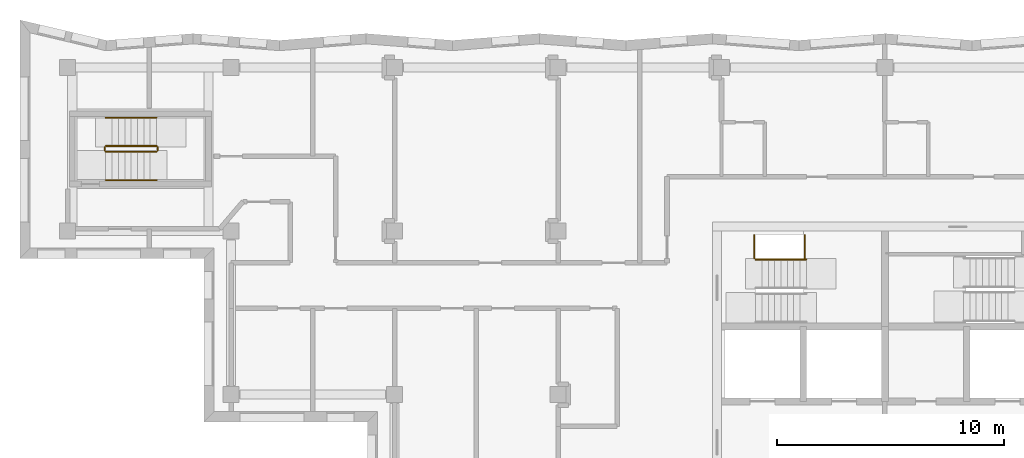
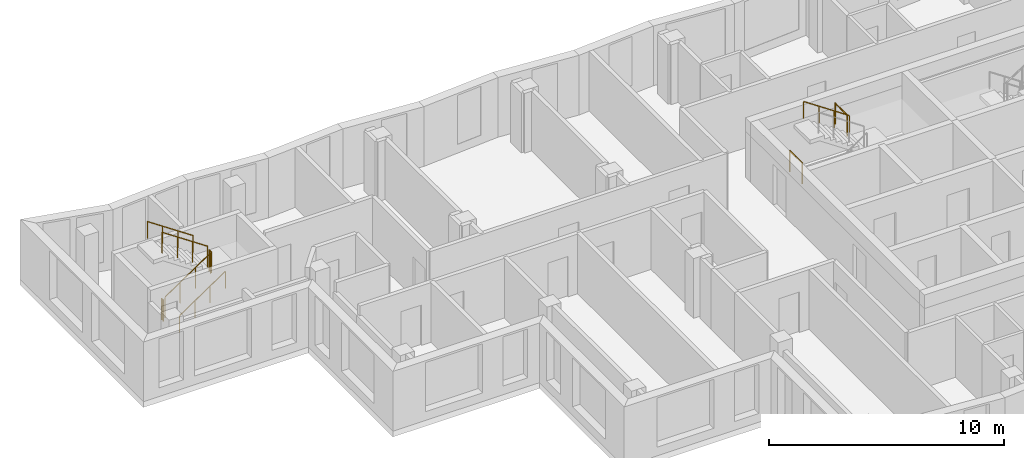
# One storey, part 11 of 13: 9 railings.
"""IFC4 building model written with IfcOpenShell, lengths in metres."""

import ifcopenshell
import ifcopenshell.guid

model = None  # the IFC model being written
_history = None  # IfcOwnerHistory: only IFC2X3 demands one
_inside = {}  # id of a spatial element -> (the spatial element, [elements in it])
_under = {}  # id of a project, library or spatial element -> (it, [spatial elements below it])
_declared = {}  # id of a project -> (the project, [libraries it declares])
_typed = {}  # id of a type object -> (the type object, [elements of that type])
_made_of = {}  # id of a material, layer set ... -> (it, [elements and type objects made of it])


def new_model(schema):
    """Start an empty IFC model of exactly this schema.

    Asked for "IFC4X3", IfcOpenShell would pick the latest addendum, in which some entities
    have other attributes; the version numbers below select the first issue.
    IFC2X3 requires an IfcOwnerHistory on every rooted entity: one is made here for all.
    """
    global model, _history
    if schema == "IFC4X3":
        model = ifcopenshell.file(schema_version=(4, 3, 0, 0))
    else:
        model = ifcopenshell.file(schema=schema)
    _inside.clear()
    _under.clear()
    _declared.clear()
    _typed.clear()
    _made_of.clear()
    _history = None
    if model.schema == "IFC2X3":
        org = make("IfcOrganization", Name="unknown")
        user = make(
            "IfcPersonAndOrganization",
            ThePerson=make("IfcPerson", FamilyName="unknown"),
            TheOrganization=org,
        )
        app = make(
            "IfcApplication",
            ApplicationDeveloper=org,
            Version="unknown",
            ApplicationFullName="unknown",
            ApplicationIdentifier="unknown",
        )
        _history = make(
            "IfcOwnerHistory",
            OwningUser=user,
            OwningApplication=app,
            ChangeAction="ADDED",
            CreationDate=0,
        )
    return model


def make(cls, **values):
    """One entity of the class cls with the attributes given. An attribute that is None is left unset."""
    return model.create_entity(
        cls, **{name: value for name, value in values.items() if value is not None}
    )


def rooted(cls, **values):
    """An entity with a GlobalId (a new one), such as an element, a storey or a relation."""
    return make(cls, GlobalId=ifcopenshell.guid.new(), OwnerHistory=_history, **values)


def si_unit(unit_type, name, prefix=None):
    """IfcSIUnit, for example si_unit("LENGTHUNIT", "METRE", prefix="MILLI")."""
    return make("IfcSIUnit", UnitType=unit_type, Prefix=prefix, Name=name)


def assignment(units):
    """IfcUnitAssignment: the units of a project."""
    return None if units is None else make("IfcUnitAssignment", Units=units)


def point(xyz):
    """IfcCartesianPoint."""
    return None if xyz is None else make("IfcCartesianPoint", Coordinates=xyz)


def direction(xyz):
    """IfcDirection."""
    return None if xyz is None else make("IfcDirection", DirectionRatios=xyz)


def frame(location, z_axis=None, x_axis=None):
    """IfcAxis2Placement3D, a coordinate frame: its origin and axes. An axis left out is left unset."""
    return make(
        "IfcAxis2Placement3D",
        Location=point(location),
        Axis=direction(z_axis),
        RefDirection=direction(x_axis),
    )


def frame_2d(location, x_axis=None):
    """IfcAxis2Placement2D, a coordinate frame in the plane: its origin and x axis."""
    return make(
        "IfcAxis2Placement2D", Location=point(location), RefDirection=direction(x_axis)
    )


def origin():
    """The frame at (0, 0, 0) with its axes left unset."""
    return frame((0.0, 0.0, 0.0))


def origin_2d():
    """The frame at (0, 0) in the plane with its x axis left unset."""
    return frame_2d((0.0, 0.0))


def place(relative_to, where):
    """IfcLocalPlacement: puts the frame where relative to a parent placement (None: the world)."""
    return make(
        "IfcLocalPlacement", PlacementRelTo=relative_to, RelativePlacement=where
    )


def context(
    kind, dimensions, precision=None, world=None, true_north=None, identifier=None
):
    """IfcGeometricRepresentationContext, for example the 3D "Model" context."""
    return make(
        "IfcGeometricRepresentationContext",
        ContextIdentifier=identifier,
        ContextType=kind,
        CoordinateSpaceDimension=dimensions,
        Precision=precision,
        WorldCoordinateSystem=world,
        TrueNorth=true_north,
    )


def subcontext(parent, identifier, kind, view, scale=None):
    """IfcGeometricRepresentationSubContext, for example "Body" below "Model"."""
    return make(
        "IfcGeometricRepresentationSubContext",
        ContextIdentifier=identifier,
        ContextType=kind,
        ParentContext=parent,
        TargetScale=scale,
        TargetView=view,
    )


def project(units=None, contexts=None):
    """IfcProject with its units and contexts."""
    return rooted(
        "IfcProject",
        Name="project",
        RepresentationContexts=contexts,
        UnitsInContext=assignment(units),
    )


def spatial(cls, under=None, at=None, **own):
    """A site, building, storey or space (cls), placed at a placement, below another one or the project."""
    s = rooted(cls, ObjectPlacement=at, **own)
    if under is not None:
        _under.setdefault(under.id(), (under, []))[1].append(s)
    return s


def profile(cls, at=None, kind="AREA", **sizes):
    """A parametric profile (cls). Its sizes go by their IFC names, for example OverallWidth=200.0."""
    return make(cls, ProfileType=kind, Position=at, **sizes)


def circle(**sizes):
    """IfcCircleProfileDef."""
    return profile("IfcCircleProfileDef", **sizes)


def extrude(swept, where, along, depth):
    """IfcExtrudedAreaSolid: the profile swept, set in the frame where, extruded along a direction by depth."""
    return make(
        "IfcExtrudedAreaSolid",
        SweptArea=swept,
        Position=where,
        ExtrudedDirection=direction(along),
        Depth=depth,
    )


def shape(context_of_items, identifier, shape_type, items):
    """IfcShapeRepresentation: the items that make up one representation, for example the "Body"."""
    return make(
        "IfcShapeRepresentation",
        ContextOfItems=context_of_items,
        RepresentationIdentifier=identifier,
        RepresentationType=shape_type,
        Items=items,
    )


def material(Name=None, Category=None):
    """IfcMaterial."""
    return make("IfcMaterial", Name=Name, Category=Category)


def made_of(thing, what):
    """Note that an element or type object is made of a material, layer set ...; save() writes the relation."""
    if what is not None:
        _made_of.setdefault(what.id(), (what, []))[1].append(thing)
    return thing


def type_object(cls, material=None, **own):
    """A type object (cls), such as IfcWallType, which elements share."""
    return made_of(rooted(cls, **own), material)


def element(
    cls,
    number,
    at=None,
    inside=None,
    cuts=None,
    type_object=None,
    material=None,
    context=None,
    identifier="Body",
    shape_type=None,
    held_by="IfcProductDefinitionShape",
    body=None,
    shapes=None,
    **own,
):
    """One element of the class cls, such as IfcWall. Its Tag is "e" and its number.

    at: its placement. inside: the storey or other place that contains it. cuts: it is an
    opening in that element (IfcRelVoidsElement). A single representation is given by context,
    identifier, shape_type and body (its items); several are given by shapes. held_by: the class
    of the entity that holds the representations. save() writes the other relations.
    """
    e = rooted(cls, Tag="e%d" % number, ObjectPlacement=at, **own)
    if body is not None:
        shapes = [shape(context, identifier, shape_type, body)]
    if shapes is not None:
        e.Representation = make(held_by, Representations=shapes)
    if inside is not None:
        _inside.setdefault(inside.id(), (inside, []))[1].append(e)
    if cuts is not None:
        rooted(
            "IfcRelVoidsElement", RelatingBuildingElement=cuts, RelatedOpeningElement=e
        )
    if type_object is not None:
        _typed.setdefault(type_object.id(), (type_object, []))[1].append(e)
    return made_of(e, material)


def aggregate(whole, parts):
    """IfcRelAggregates: a whole, such as a stair, and the parts it consists of."""
    return rooted("IfcRelAggregates", RelatingObject=whole, RelatedObjects=parts)


def save(model, path):
    """Write the relations noted so far, then the file.

    IfcRelAggregates (storeys below a building ...), IfcRelContainedInSpatialStructure (elements
    in a storey), IfcRelDefinesByType, IfcRelAssociatesMaterial and IfcRelDeclares: one each for
    every whole, place, type object, material and project.
    """
    for whole, parts in _under.values():
        aggregate(whole, parts)
    for where, things in _inside.values():
        rooted(
            "IfcRelContainedInSpatialStructure",
            RelatedElements=things,
            RelatingStructure=where,
        )
    for kind, things in _typed.values():
        rooted("IfcRelDefinesByType", RelatedObjects=things, RelatingType=kind)
    for what, things in _made_of.values():
        rooted("IfcRelAssociatesMaterial", RelatedObjects=things, RelatingMaterial=what)
    for by, libraries in _declared.values():
        rooted("IfcRelDeclares", RelatingContext=by, RelatedDefinitions=libraries)
    model.write(path)


model = new_model("IFC4")

# Units and contexts
model_context = context("Model", 3, precision=1e-05, world=origin(), true_north=direction((0.0, 1.0)))
body_context = subcontext(model_context, "Body", "Model", "MODEL_VIEW")
ifc_project = project(units=[si_unit("LENGTHUNIT", "METRE"), si_unit("AREAUNIT", "SQUARE_METRE"), si_unit("VOLUMEUNIT", "CUBIC_METRE"), si_unit("PLANEANGLEUNIT", "RADIAN"), si_unit("MASSUNIT", "GRAM", prefix="KILO")], contexts=[model_context])

# Site, building, storey
site_placement = place(None, origin())
site = spatial("IfcSite", under=ifc_project, at=site_placement, CompositionType="ELEMENT")
building_placement = place(site_placement, origin())
building = spatial("IfcBuilding", under=site, at=building_placement, Name="Windrow Commons", CompositionType="ELEMENT")
storey_placement = place(building_placement, frame((0.0, 0.0, 243.8)))
storey = spatial("IfcBuildingStorey", under=building, at=storey_placement, Name="L66", CompositionType="ELEMENT", Elevation=243.8)

# Railings
ifc_material_1 = material(Name="Steel S355", Category="steel")
railing_type_1 = type_object("IfcRailingType", Name="Core stair guard 1100", PredefinedType="GUARDRAIL", material=ifc_material_1)
for number, where, name in (
    (1, (59.05, 63.6, 0.0), "L66 ST-A1 stair guard 3"),
    (2, (61.27, 63.6, 1.7), "L66 ST-A1 stair guard 4"),
):
    element("IfcRailing", number, at=place(storey_placement, frame(where)), inside=storey, type_object=railing_type_1, Name=name, PredefinedType="GUARDRAIL", context=body_context, shape_type="SweptSolid", body=[
        extrude(circle(Radius=0.024, at=origin_2d()), frame((0.0, 0.0, 1.076), z_axis=(0.0, 1.0, 0.0), x_axis=(-1.0, 0.0, 0.0)), (0.0, 0.0, 1.0), 1.03),
        extrude(circle(Radius=0.021, at=origin_2d()), origin(), (0.0, 0.0, 1.0), 1.052),
        extrude(circle(Radius=0.021, at=origin_2d()), frame((0.0, 1.03, 0.0)), (0.0, 0.0, 1.0), 1.052),
    ])
railing_1_placement = place(storey_placement, frame((30.475, 68.3, 0.1889)))
element("IfcRailing", 3, at=railing_1_placement, inside=storey, type_object=railing_type_1, Name="L66 ST-W stair guard 1", PredefinedType="GUARDRAIL", context=body_context, shape_type="SweptSolid", body=[
    extrude(circle(Radius=0.024, at=origin_2d()), frame((0.0, 0.0, 1.076), z_axis=(0.8290030985, 0.0, 0.5592440099), x_axis=(0.0, 1.0, 0.0)), (0.0, 0.0, 1.0), 2.702),
    extrude(circle(Radius=0.021, at=origin_2d()), origin(), (0.0, 0.0, 1.0), 1.052),
    extrude(circle(Radius=0.021, at=origin_2d()), frame((0.7467, 0.0, 0.5037)), (0.0, 0.0, 1.0), 1.052),
    extrude(circle(Radius=0.021, at=origin_2d()), frame((1.4933, 0.0, 1.0074)), (0.0, 0.0, 1.0), 1.052),
    extrude(circle(Radius=0.021, at=origin_2d()), frame((2.24, 0.0, 1.5111)), (0.0, 0.0, 1.0), 1.052),
])
railing_2_placement = place(storey_placement, frame((32.765, 68.35, 1.7)))
element("IfcRailing", 4, at=railing_2_placement, inside=storey, type_object=railing_type_1, Name="L66 ST-W stair guard 2", PredefinedType="GUARDRAIL", context=body_context, shape_type="SweptSolid", body=[
    extrude(circle(Radius=0.024, at=origin_2d()), frame((0.0, 0.0, 1.076), z_axis=(0.0, 1.0, 0.0), x_axis=(-1.0, 0.0, 0.0)), (0.0, 0.0, 1.0), 0.15),
    extrude(circle(Radius=0.021, at=origin_2d()), origin(), (0.0, 0.0, 1.0), 1.052),
    extrude(circle(Radius=0.021, at=origin_2d()), frame((0.0, 0.15, 0.0)), (0.0, 0.0, 1.0), 1.052),
])
railing_3_placement = place(storey_placement, frame((32.715, 68.55, 1.8889)))
element("IfcRailing", 5, at=railing_3_placement, inside=storey, type_object=railing_type_1, Name="L66 ST-W stair guard 3", PredefinedType="GUARDRAIL", context=body_context, shape_type="SweptSolid", body=[
    extrude(circle(Radius=0.024, at=origin_2d()), frame((0.0, 0.0, 1.076), z_axis=(-0.8290030985, 0.0, 0.5592440099), x_axis=(0.0, -1.0, 0.0)), (0.0, 0.0, 1.0), 2.702),
    extrude(circle(Radius=0.021, at=origin_2d()), origin(), (0.0, 0.0, 1.0), 1.052),
    extrude(circle(Radius=0.021, at=origin_2d()), frame((-0.7467, 0.0, 0.5037)), (0.0, 0.0, 1.0), 1.052),
    extrude(circle(Radius=0.021, at=origin_2d()), frame((-1.4933, 0.0, 1.0074)), (0.0, 0.0, 1.0), 1.052),
    extrude(circle(Radius=0.021, at=origin_2d()), frame((-2.24, 0.0, 1.5111)), (0.0, 0.0, 1.0), 1.052),
])
railing_4_placement = place(storey_placement, frame((30.425, 68.35, 0.0)))
element("IfcRailing", 6, at=railing_4_placement, inside=storey, type_object=railing_type_1, Name="L66 ST-W stair guard 4", PredefinedType="GUARDRAIL", context=body_context, shape_type="SweptSolid", body=[
    extrude(circle(Radius=0.024, at=origin_2d()), frame((0.0, 0.0, 1.076), z_axis=(0.0, 1.0, 0.0), x_axis=(-1.0, 0.0, 0.0)), (0.0, 0.0, 1.0), 0.15),
    extrude(circle(Radius=0.021, at=origin_2d()), origin(), (0.0, 0.0, 1.0), 1.052),
    extrude(circle(Radius=0.021, at=origin_2d()), frame((0.0, 0.15, 0.0)), (0.0, 0.0, 1.0), 1.052),
])
ifc_material_2 = material(Name="Steel S355", Category="steel")
railing_type_2 = type_object("IfcRailingType", Name="Core stair handrail 900", PredefinedType="HANDRAIL", material=ifc_material_2)
railing_5_placement = place(storey_placement, frame((61.34, 63.55, 1.8889)))
element("IfcRailing", 7, at=railing_5_placement, inside=storey, type_object=railing_type_2, Name="L66 ST-A1 stair handrail 2", PredefinedType="HANDRAIL", context=body_context, shape_type="SweptSolid", body=[
    extrude(circle(Radius=0.024, at=origin_2d()), frame((0.0, 0.0, 0.876), z_axis=(-0.8290030985, 0.0, 0.5592440099), x_axis=(0.0, -1.0, 0.0)), (0.0, 0.0, 1.0), 2.702),
    extrude(circle(Radius=0.021, at=origin_2d()), origin(), (0.0, 0.0, 1.0), 0.852),
    extrude(circle(Radius=0.021, at=origin_2d()), frame((-0.7467, 0.0, 0.5037)), (0.0, 0.0, 1.0), 0.852),
    extrude(circle(Radius=0.021, at=origin_2d()), frame((-1.4933, 0.0, 1.0074)), (0.0, 0.0, 1.0), 0.852),
    extrude(circle(Radius=0.021, at=origin_2d()), frame((-2.24, 0.0, 1.5111)), (0.0, 0.0, 1.0), 0.852),
])
railing_6_placement = place(storey_placement, frame((30.475, 67.05, 0.1889)))
element("IfcRailing", 8, at=railing_6_placement, inside=storey, type_object=railing_type_2, Name="L66 ST-W stair handrail 1", PredefinedType="HANDRAIL", context=body_context, shape_type="SweptSolid", body=[
    extrude(circle(Radius=0.024, at=origin_2d()), frame((0.0, 0.0, 0.876), z_axis=(0.8290030985, 0.0, 0.5592440099), x_axis=(0.0, 1.0, 0.0)), (0.0, 0.0, 1.0), 2.702),
    extrude(circle(Radius=0.021, at=origin_2d()), origin(), (0.0, 0.0, 1.0), 0.852),
    extrude(circle(Radius=0.021, at=origin_2d()), frame((0.7467, 0.0, 0.5037)), (0.0, 0.0, 1.0), 0.852),
    extrude(circle(Radius=0.021, at=origin_2d()), frame((1.4933, 0.0, 1.0074)), (0.0, 0.0, 1.0), 0.852),
    extrude(circle(Radius=0.021, at=origin_2d()), frame((2.24, 0.0, 1.5111)), (0.0, 0.0, 1.0), 0.852),
])
railing_7_placement = place(storey_placement, frame((32.715, 69.8, 1.8889)))
element("IfcRailing", 9, at=railing_7_placement, inside=storey, type_object=railing_type_2, Name="L66 ST-W stair handrail 2", PredefinedType="HANDRAIL", context=body_context, shape_type="SweptSolid", body=[
    extrude(circle(Radius=0.024, at=origin_2d()), frame((0.0, 0.0, 0.876), z_axis=(-0.8290030985, 0.0, 0.5592440099), x_axis=(0.0, -1.0, 0.0)), (0.0, 0.0, 1.0), 2.702),
    extrude(circle(Radius=0.021, at=origin_2d()), origin(), (0.0, 0.0, 1.0), 0.852),
    extrude(circle(Radius=0.021, at=origin_2d()), frame((-0.7467, 0.0, 0.5037)), (0.0, 0.0, 1.0), 0.852),
    extrude(circle(Radius=0.021, at=origin_2d()), frame((-1.4933, 0.0, 1.0074)), (0.0, 0.0, 1.0), 0.852),
    extrude(circle(Radius=0.021, at=origin_2d()), frame((-2.24, 0.0, 1.5111)), (0.0, 0.0, 1.0), 0.852),
])

save(model, "model.ifc")
